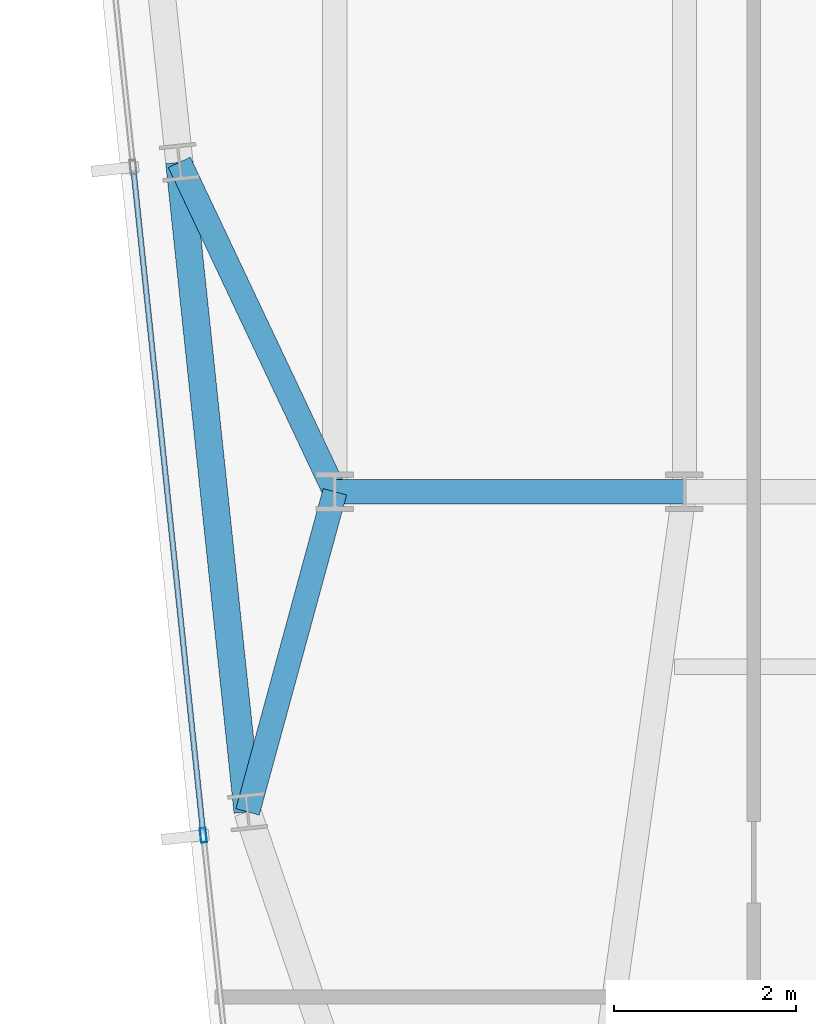
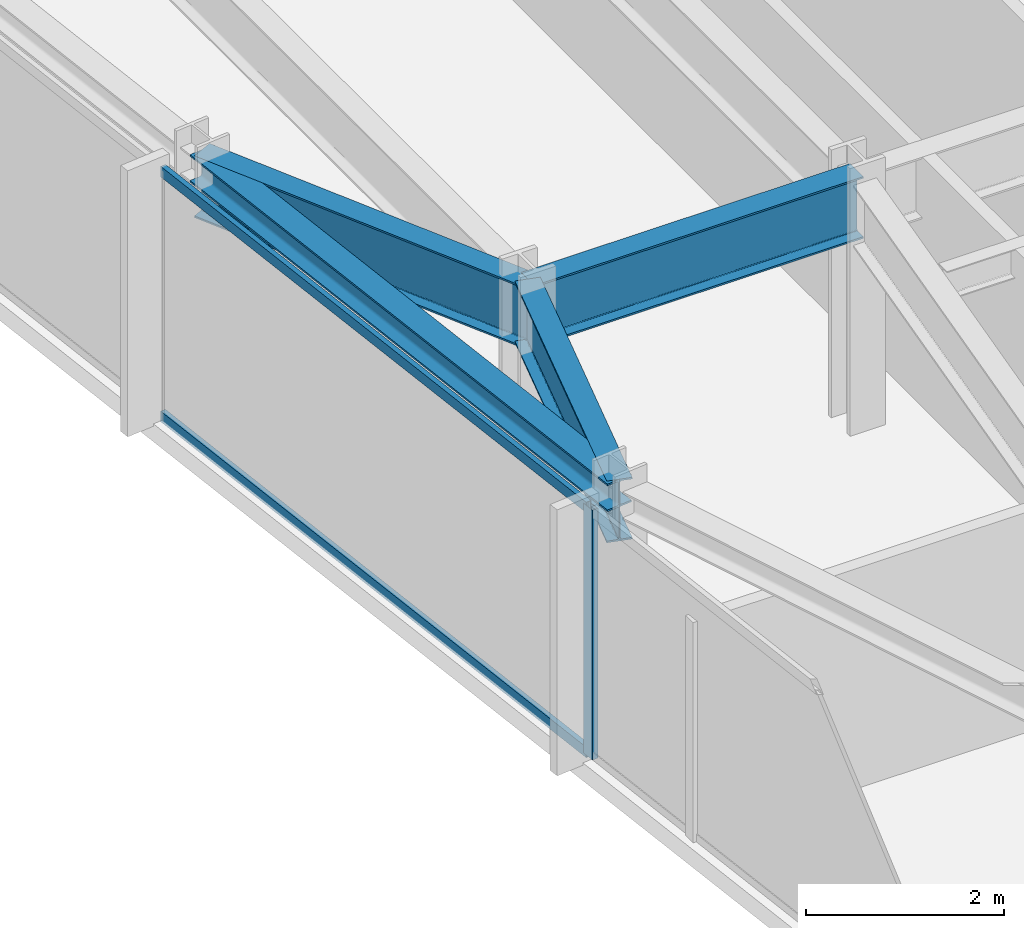
# One storey, part 5 of 32: 4 beams, 3 members, 1 element without a shape of its own.
"""IFC4 building model written with IfcOpenShell, lengths in metres."""

from ifc_helpers import new_model, si_unit, direction, frame, origin, origin_2d, place, context, subcontext, project, spatial, hollow_rectangle, i_section, extrude, material, material_profile, profile_set, type_object, element, aggregate, save


model = new_model("IFC4")

# Units and contexts
model_context = context("Model", 3, precision=1e-05, world=origin(), true_north=direction((0.0, 1.0)))
body_context = subcontext(model_context, "Body", "Model", "MODEL_VIEW")
ifc_project = project(units=[si_unit("LENGTHUNIT", "METRE"), si_unit("AREAUNIT", "SQUARE_METRE"), si_unit("VOLUMEUNIT", "CUBIC_METRE"), si_unit("PLANEANGLEUNIT", "RADIAN"), si_unit("MASSUNIT", "GRAM", prefix="KILO")], contexts=[model_context])

# Site, building, storey
site_placement = place(None, origin())
site = spatial("IfcSite", under=ifc_project, at=site_placement, CompositionType="ELEMENT")
building_placement = place(site_placement, origin())
building = spatial("IfcBuilding", under=site, at=building_placement, Name="Yelkora Congress Tower", CompositionType="ELEMENT")
storey_placement = place(building_placement, frame((0.0, 0.0, 214.39990234375)))
storey = spatial("IfcBuildingStorey", under=building, at=storey_placement, Name="L59", CompositionType="ELEMENT", Elevation=214.39990234375)

# Beams
ifc_material_1 = material(Name="Steel S355J2", Category="steel")
ifc_material_profile_1 = material_profile(ifc_material_1, i_section(OverallWidth=0.26708984375, OverallDepth=0.761962890625, WebThickness=0.014404296875, FlangeThickness=0.021484375, FilletRadius=0.01708984375, at=origin_2d()), Name="IPE 750x173")
ifc_profile_set_1 = profile_set([ifc_material_profile_1], Name="Steel S355J2")
beam_type_1 = type_object("IfcBeamType", Name="BM-GIRD-IPE750", PredefinedType="BEAM", material=ifc_profile_set_1)
beam_1_placement = place(storey_placement, frame((19.199951171875, 25.199951171875, 2.69921875), z_axis=(1.0, 0.0, 0.0), x_axis=(0.0, 1.0, 0.0)))
element("IfcBeam", 1, at=beam_1_placement, inside=storey, type_object=beam_type_1, Name="L59 Spine Grid D Girder 1", PredefinedType="BEAM", context=body_context, shape_type="SweptSolid", body=[
    extrude(i_section(OverallWidth=0.26708984375, OverallDepth=0.761962890625, WebThickness=0.014404296875, FlangeThickness=0.021484375, FilletRadius=0.01708984375, at=origin_2d()), origin(), (0.0, 0.0, 1.0), 3.840087890625),
])
beam_2_placement = place(storey_placement, frame((18.2412109375, 21.68310546875, 2.69921875), z_axis=(0.263015394472, 0.964791636713, 0.0), x_axis=(-0.964791636713, 0.263015394472, 0.0)))
element("IfcBeam", 2, at=beam_2_placement, inside=storey, type_object=beam_type_1, Name="L59 Primary Frame Girder W01", PredefinedType="BEAM", context=body_context, shape_type="SweptSolid", body=[
    extrude(i_section(OverallWidth=0.26708984375, OverallDepth=0.761962890625, WebThickness=0.014404296875, FlangeThickness=0.021484375, FilletRadius=0.01708984375, at=origin_2d()), origin(), (0.0, 0.0, 1.0), 3.645263671875),
])
beam_3_placement = place(storey_placement, frame((17.4912109375, 28.81884765625, 2.69921875), z_axis=(0.426968894221, -0.904266312193, 0.0), x_axis=(0.904266312193, 0.426968894221, 0.0)))
element("IfcBeam", 3, at=beam_3_placement, inside=storey, type_object=beam_type_1, Name="L59 Primary Frame Girder W02", PredefinedType="BEAM", context=body_context, shape_type="SweptSolid", body=[
    extrude(i_section(OverallWidth=0.26708984375, OverallDepth=0.761962890625, WebThickness=0.014404296875, FlangeThickness=0.021484375, FilletRadius=0.01708984375, at=origin_2d()), origin(), (0.0, 0.0, 1.0), 4.001953125),
])
ifc_material_profile_2 = material_profile(ifc_material_1, i_section(OverallWidth=0.300048828125, OverallDepth=0.340087890625, WebThickness=0.011962890625, FlangeThickness=0.021484375, FilletRadius=0.027099609375, at=origin_2d()), Name="HEB 340")
ifc_profile_set_2 = profile_set([ifc_material_profile_2], Name="Steel S355J2")
beam_type_2 = type_object("IfcBeamType", Name="BM-SPAN-HEB340", PredefinedType="SPANDREL", material=ifc_profile_set_2)
beam_4_placement = place(storey_placement, frame((17.4912109375, 28.81884765625, 2.91015625), z_axis=(0.104528914631, -0.994521847928, 0.0), x_axis=(0.994521847928, 0.104528914631, 0.0)))
element("IfcBeam", 4, at=beam_4_placement, inside=storey, type_object=beam_type_2, Name="L59 Perimeter Beam 1", PredefinedType="SPANDREL", context=body_context, shape_type="SweptSolid", body=[
    extrude(i_section(OverallWidth=0.300048828125, OverallDepth=0.340087890625, WebThickness=0.011962890625, FlangeThickness=0.021484375, FilletRadius=0.027099609375, at=origin_2d()), origin(), (0.0, 0.0, 1.0), 7.175048828125),
])

# Curtain wall, members
ifc_material_2 = material(Name="Anodised aluminium and insulated glass", Category="aluminium")
curtain_wall_type = type_object("IfcCurtainWallType", Name="CW-SYS-B4", PredefinedType="NOTDEFINED", material=ifc_material_2)
curtain_wall_placement = place(storey_placement, origin())
curtain_wall = element("IfcCurtainWall", 5, at=curtain_wall_placement, inside=storey, type_object=curtain_wall_type, Name="L59 Unitised Curtain Wall 5", PredefinedType="NOTDEFINED")
ifc_material_3 = material(Name="Anodised aluminium 6063-T6", Category="aluminium")
ifc_material_profile_3 = material_profile(ifc_material_3, hollow_rectangle(XDim=0.06494140625, YDim=0.159912109375, WallThickness=0.00390625, at=origin_2d()), Name="ALU 65x160x4")
ifc_profile_set_3 = profile_set([ifc_material_profile_3], Name="Anodised aluminium 6063-T6")
member_type_1 = type_object("IfcMemberType", Name="MEM-ML-B4", PredefinedType="MULLION", material=ifc_profile_set_3)
member_1_placement = place(storey_placement, frame((17.75537109375, 21.426025390625, 0.0), z_axis=(0.0, 0.0, 1.0), x_axis=(-0.994522145958, -0.104526079034, 0.0)))
member_1 = element("IfcMember", 6, at=member_1_placement, type_object=member_type_1, Name="CW-B4 mullion 2", PredefinedType="MULLION", context=body_context, shape_type="SweptSolid", body=[
    extrude(hollow_rectangle(XDim=0.06494140625, YDim=0.159912109375, WallThickness=0.00390625, at=origin_2d()), origin(), (0.0, 0.0, 1.0), 3.080078125),
])
ifc_material_profile_4 = material_profile(ifc_material_3, hollow_rectangle(XDim=0.06005859375, YDim=0.1298828125, WallThickness=0.00390625, at=origin_2d()), Name="ALU 60x130x4")
ifc_profile_set_4 = profile_set([ifc_material_profile_4], Name="Anodised aluminium 6063-T6")
member_type_2 = type_object("IfcMemberType", Name="MEM-TR-B4", PredefinedType="USERDEFINED", material=ifc_profile_set_4)
member_2_placement = place(storey_placement, frame((17.751953125, 21.458251953125, 0.030029296875), z_axis=(-0.104528426736, 0.994521899208, 0.0), x_axis=(-0.994521899208, -0.104528426736, 0.0)))
member_2 = element("IfcMember", 7, at=member_2_placement, type_object=member_type_2, Name="CW-B4 transom 2.1", ObjectType="TRANSOM", PredefinedType="USERDEFINED", context=body_context, shape_type="SweptSolid", body=[
    extrude(hollow_rectangle(XDim=0.06005859375, YDim=0.1298828125, WallThickness=0.00390625, at=origin_2d()), origin(), (0.0, 0.0, 1.0), 7.315185546875),
])
member_3_placement = place(storey_placement, frame((17.751953125, 21.458251953125, 3.050048828125), z_axis=(-0.104528426736, 0.994521899208, 0.0), x_axis=(-0.994521899208, -0.104528426736, 0.0)))
member_3 = element("IfcMember", 8, at=member_3_placement, type_object=member_type_2, Name="CW-B4 transom 2.2", ObjectType="TRANSOM", PredefinedType="USERDEFINED", context=body_context, shape_type="SweptSolid", body=[
    extrude(hollow_rectangle(XDim=0.06005859375, YDim=0.1298828125, WallThickness=0.00390625, at=origin_2d()), origin(), (0.0, 0.0, 1.0), 7.315185546875),
])
aggregate(curtain_wall, [member_1, member_2, member_3])

save(model, "model.ifc")
